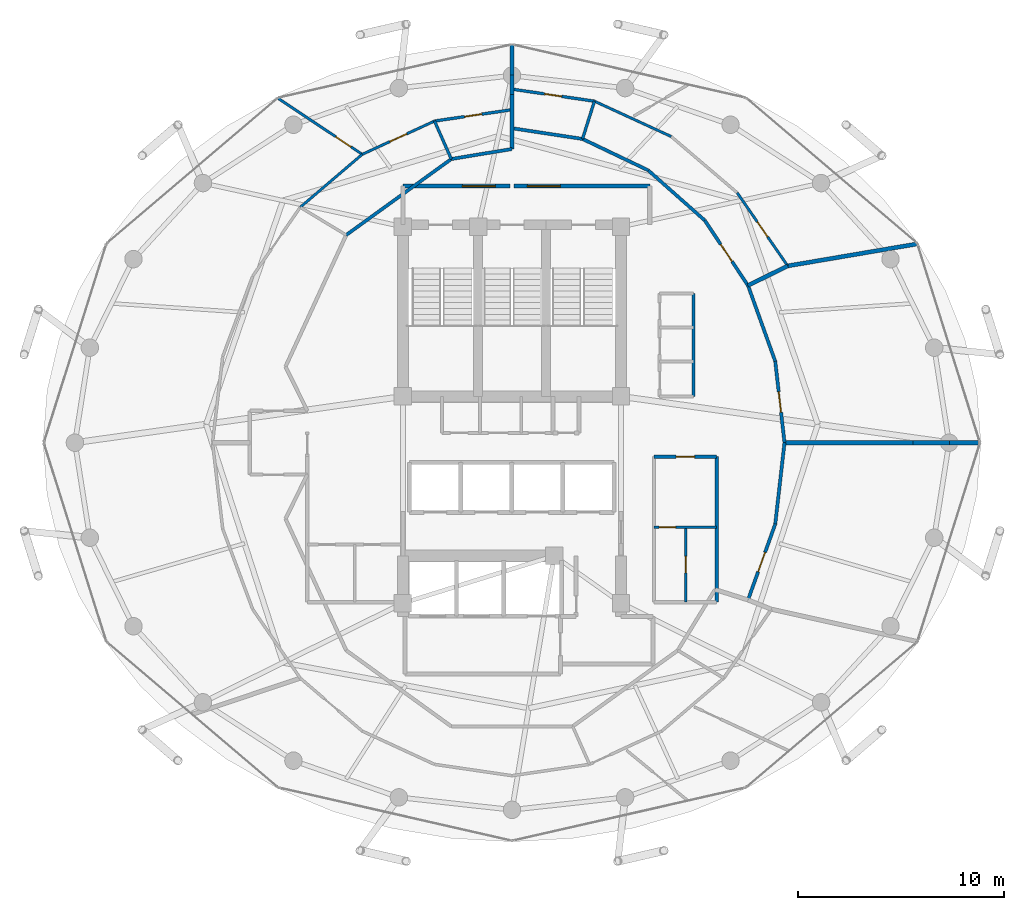
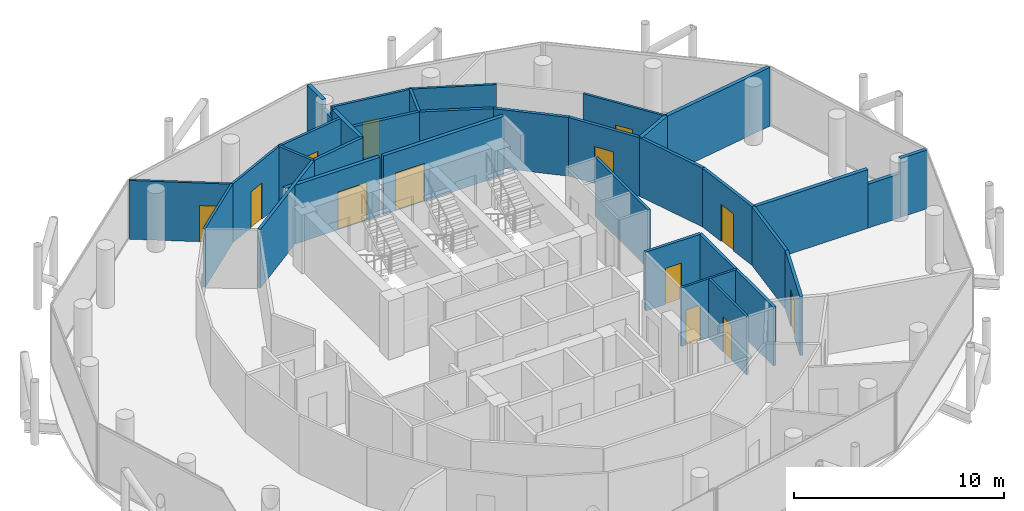
# One storey, part 25 of 27: 34 walls, 13 doors, 13 openings.
"""IFC4 building model written with IfcOpenShell, lengths in metres."""

from ifc_helpers import new_model, si_unit, direction, frame, frame_2d, origin, place, context, subcontext, project, spatial, rectangle, extrude, material, layer, layer_set, type_object, element, fill, save


model = new_model("IFC4")

# Units and contexts
model_context = context("Model", 3, precision=1e-05, world=origin(), true_north=direction((0.0, 1.0)))
body_context = subcontext(model_context, "Body", "Model", "MODEL_VIEW")
ifc_project = project(units=[si_unit("LENGTHUNIT", "METRE"), si_unit("AREAUNIT", "SQUARE_METRE"), si_unit("VOLUMEUNIT", "CUBIC_METRE"), si_unit("PLANEANGLEUNIT", "RADIAN"), si_unit("MASSUNIT", "GRAM", prefix="KILO")], contexts=[model_context])

# Site, building, storey
site_placement = place(None, origin())
site = spatial("IfcSite", under=ifc_project, at=site_placement, CompositionType="ELEMENT")
building_placement = place(site_placement, origin())
building = spatial("IfcBuilding", under=site, at=building_placement, Name="Nuhasar Tower", CompositionType="ELEMENT")
storey_placement = place(building_placement, frame((0.0, 0.0, 230.050048828125)))
storey = spatial("IfcBuildingStorey", under=building, at=storey_placement, Name="L56", CompositionType="ELEMENT", Elevation=230.050048828125)

# Wall
ifc_material_1 = material(Name="Gypsum Board", Category="gypsum")
ifc_layer_1 = layer(ifc_material_1, 0.159912109375)
ifc_layer_set_1 = layer_set([ifc_layer_1], Name="Gypsum Board")
wall_type_1 = type_object("IfcWallType", Name="WL-CORR-160", PredefinedType="PARTITIONING", material=ifc_layer_set_1)
wall_1_placement = place(storey_placement, frame((48.949951171875, 19.050048828125, 0.0), z_axis=(0.0, 0.0, 1.0), x_axis=(0.0, 1.0, 0.0)))
element("IfcWall", 1, at=wall_1_placement, inside=storey, type_object=wall_type_1, Name="L56 Interior Partition RECL-B2-E", PredefinedType="PARTITIONING", context=body_context, shape_type="SweptSolid", body=[
    extrude(rectangle(XDim=7.070068359375, YDim=0.159912109375, at=frame_2d((3.53515625, 0.0))), origin(), (0.0, 0.0, 1.0), 3.409912109375),
])

# Wall, opening, door
wall_2_placement = place(storey_placement, frame((48.949951171875, 26.1201171875, 0.0), z_axis=(0.0, 0.0, 1.0), x_axis=(-1.0, 0.0, 0.0)))
wall_2 = element("IfcWall", 2, at=wall_2_placement, inside=storey, type_object=wall_type_1, Name="L56 Interior Partition RECL-B2-N", PredefinedType="PARTITIONING", context=body_context, shape_type="SweptSolid", body=[
    extrude(rectangle(XDim=3.050048828125, YDim=0.159912109375, at=frame_2d((1.52490234375, 0.0))), origin(), (0.0, 0.0, 1.0), 3.409912109375),
])
opening_1_placement = place(wall_2_placement, frame((1.074951171875, 0.0, 0.0)))
opening_1 = element("IfcOpeningElement", 3, at=opening_1_placement, cuts=wall_2, Name="Opening DR-01", PredefinedType="OPENING", context=body_context, shape_type="SweptSolid", body=[
    extrude(rectangle(XDim=0.89990234375, YDim=2.10009765625, at=frame_2d((0.449951171875, 1.050048828125))), frame((0.0, 0.08984375, 0.0), z_axis=(0.0, -1.0, 0.0), x_axis=(1.0, 0.0, 0.0)), (0.0, 0.0, 1.0), 0.179931640625),
])
ifc_material_2 = material(Name="Timber Oak", Category="wood")
door_type_1 = type_object("IfcDoorType", Name="DR-ROOM-900", OperationType="NOTDEFINED", PredefinedType="DOOR", material=ifc_material_2)
door_1_placement = place(opening_1_placement, origin())
door_1 = element("IfcDoor", 4, at=door_1_placement, inside=storey, type_object=door_type_1, Name="L56 Telemetry Closet Door", OperationType="SINGLE_SWING_LEFT", OverallHeight=2.10009765625, OverallWidth=0.89990234375, PredefinedType="DOOR", context=body_context, shape_type="SweptSolid", body=[
    extrude(rectangle(XDim=0.89990234375, YDim=2.10009765625, at=frame_2d((0.449951171875, 1.050048828125))), frame((0.0, 0.02490234375, 0.0), z_axis=(0.0, -1.0, 0.0), x_axis=(1.0, 0.0, 0.0)), (0.0, 0.0, 1.0), 0.050048828125),
])
fill(opening_1, door_1)

wall_3_placement = place(storey_placement, frame((51.799072265625, 22.843017578125, 0.0), z_axis=(0.0, 0.0, 1.0), x_axis=(-0.337883151287, -0.941188066263, 0.0)))
wall_3 = element("IfcWall", 5, at=wall_3_placement, inside=storey, type_object=wall_type_1, Name="L56 Interior Partition CORR-44", PredefinedType="PARTITIONING", context=body_context, shape_type="SweptSolid", body=[
    extrude(rectangle(XDim=3.91845703125, YDim=0.159912109375, at=frame_2d((1.959228515625, 0.0))), origin(), (0.0, 0.0, 1.0), 3.409912109375),
])
opening_2_placement = place(wall_3_placement, frame((1.458984375, 0.0, 0.0)))
opening_2 = element("IfcOpeningElement", 6, at=opening_2_placement, cuts=wall_3, Name="Opening DU-02", PredefinedType="OPENING", context=body_context, shape_type="SweptSolid", body=[
    extrude(rectangle(XDim=1.0, YDim=2.14990234375, at=frame_2d((0.5, 1.074951171875))), frame((0.0, 0.08984375, 0.0), z_axis=(0.0, -1.0, 0.0), x_axis=(1.0, 0.0, 0.0)), (0.0, 0.0, 1.0), 0.179931640625),
])
door_type_2 = type_object("IfcDoorType", Name="DR-FLAT-FD60-1000", OperationType="NOTDEFINED", PredefinedType="DOOR", material=ifc_material_2)
door_2_placement = place(opening_2_placement, origin())
door_2 = element("IfcDoor", 7, at=door_2_placement, inside=storey, type_object=door_type_2, Name="L56 Residents Committee Boardroom Entrance Door", OperationType="SINGLE_SWING_RIGHT", OverallHeight=2.14990234375, OverallWidth=1.0, PredefinedType="DOOR", context=body_context, shape_type="SweptSolid", body=[
    extrude(rectangle(XDim=1.0, YDim=2.14990234375, at=frame_2d((0.5, 1.074951171875))), frame((0.0, 0.02490234375, 0.0), z_axis=(0.0, -1.0, 0.0), x_axis=(1.0, 0.0, 0.0)), (0.0, 0.0, 1.0), 0.050048828125),
])
fill(opening_2, door_2)

# Wall
wall_4_placement = place(storey_placement, frame((51.799072265625, 22.843017578125, 0.0), z_axis=(0.0, 0.0, 1.0), x_axis=(0.113223284391, 0.993569568713, 0.0)))
element("IfcWall", 8, at=wall_4_placement, inside=storey, type_object=wall_type_1, Name="L56 Interior Partition CORR-46", PredefinedType="PARTITIONING", context=body_context, shape_type="SweptSolid", body=[
    extrude(rectangle(XDim=3.982666015625, YDim=0.159912109375, at=frame_2d((1.9912109375, 0.0))), origin(), (0.0, 0.0, 1.0), 3.409912109375),
])

# Wall, opening, door
wall_5_placement = place(storey_placement, frame((51.799072265625, 30.757080078125, 0.0), z_axis=(0.0, 0.0, 1.0), x_axis=(0.113223284391, -0.993569568713, 0.0)))
wall_5 = element("IfcWall", 9, at=wall_5_placement, inside=storey, type_object=wall_type_1, Name="L56 Interior Partition CORR-00", PredefinedType="PARTITIONING", context=body_context, shape_type="SweptSolid", body=[
    extrude(rectangle(XDim=3.982666015625, YDim=0.159912109375, at=frame_2d((1.9912109375, 0.0))), origin(), (0.0, 0.0, 1.0), 3.409912109375),
])
opening_3_placement = place(wall_5_placement, frame((1.490966796875, 0.0, 0.0)))
opening_3 = element("IfcOpeningElement", 10, at=opening_3_placement, cuts=wall_5, Name="Opening DU-02", PredefinedType="OPENING", context=body_context, shape_type="SweptSolid", body=[
    extrude(rectangle(XDim=1.0, YDim=2.14990234375, at=frame_2d((0.5, 1.074951171875))), frame((0.0, 0.08984375, 0.0), z_axis=(0.0, -1.0, 0.0), x_axis=(1.0, 0.0, 0.0)), (0.0, 0.0, 1.0), 0.179931640625),
])
door_3_placement = place(opening_3_placement, origin())
door_3 = element("IfcDoor", 11, at=door_3_placement, inside=storey, type_object=door_type_2, Name="L56 Residents Private Seminar Room Entrance Door", OperationType="SINGLE_SWING_RIGHT", OverallHeight=2.14990234375, OverallWidth=1.0, PredefinedType="DOOR", context=body_context, shape_type="SweptSolid", body=[
    extrude(rectangle(XDim=1.0, YDim=2.14990234375, at=frame_2d((0.5, 1.074951171875))), frame((0.0, 0.02490234375, 0.0), z_axis=(0.0, -1.0, 0.0), x_axis=(1.0, 0.0, 0.0)), (0.0, 0.0, 1.0), 0.050048828125),
])
fill(opening_3, door_3)

# Wall
wall_6_placement = place(storey_placement, frame((51.799072265625, 30.757080078125, 0.0), z_axis=(0.0, 0.0, 1.0), x_axis=(-0.337883151287, 0.941188066263, 0.0)))
element("IfcWall", 12, at=wall_6_placement, inside=storey, type_object=wall_type_1, Name="L56 Interior Partition CORR-02", PredefinedType="PARTITIONING", context=body_context, shape_type="SweptSolid", body=[
    extrude(rectangle(XDim=3.91845703125, YDim=0.159912109375, at=frame_2d((1.959228515625, 0.0))), origin(), (0.0, 0.0, 1.0), 3.409912109375),
])

# Wall, opening, door
wall_7_placement = place(storey_placement, frame((48.368896484375, 37.612060546875, 0.0), z_axis=(0.0, 0.0, 1.0), x_axis=(0.553766624332, -0.832671919651, 0.0)))
wall_7 = element("IfcWall", 13, at=wall_7_placement, inside=storey, type_object=wall_type_1, Name="L56 Interior Partition CORR-04", PredefinedType="PARTITIONING", context=body_context, shape_type="SweptSolid", body=[
    extrude(rectangle(XDim=3.803466796875, YDim=0.159912109375, at=frame_2d((1.90185546875, 0.0))), origin(), (0.0, 0.0, 1.0), 3.409912109375),
])
opening_4_placement = place(wall_7_placement, frame((1.402099609375, 0.0, 0.0)))
opening_4 = element("IfcOpeningElement", 14, at=opening_4_placement, cuts=wall_7, Name="Opening DU-02", PredefinedType="OPENING", context=body_context, shape_type="SweptSolid", body=[
    extrude(rectangle(XDim=1.0, YDim=2.14990234375, at=frame_2d((0.5, 1.074951171875))), frame((0.0, 0.08984375, 0.0), z_axis=(0.0, -1.0, 0.0), x_axis=(1.0, 0.0, 0.0)), (0.0, 0.0, 1.0), 0.179931640625),
])
door_4_placement = place(opening_4_placement, origin())
door_4 = element("IfcDoor", 15, at=door_4_placement, inside=storey, type_object=door_type_2, Name="L56 East Two-Bed Apartment 01 Entrance Door", OperationType="SINGLE_SWING_RIGHT", OverallHeight=2.14990234375, OverallWidth=1.0, PredefinedType="DOOR", context=body_context, shape_type="SweptSolid", body=[
    extrude(rectangle(XDim=1.0, YDim=2.14990234375, at=frame_2d((0.5, 1.074951171875))), frame((0.0, 0.02490234375, 0.0), z_axis=(0.0, -1.0, 0.0), x_axis=(1.0, 0.0, 0.0)), (0.0, 0.0, 1.0), 0.050048828125),
])
fill(opening_4, door_4)

# Walls
wall_8_placement = place(storey_placement, frame((48.368896484375, 37.612060546875, 0.0), z_axis=(0.0, 0.0, 1.0), x_axis=(-0.748639187354, 0.662977652081, 0.0)))
element("IfcWall", 16, at=wall_8_placement, inside=storey, type_object=wall_type_1, Name="L56 Interior Partition CORR-06", PredefinedType="PARTITIONING", context=body_context, shape_type="SweptSolid", body=[
    extrude(rectangle(XDim=3.665283203125, YDim=0.159912109375, at=frame_2d((1.83251953125, 0.0))), origin(), (0.0, 0.0, 1.0), 3.409912109375),
])
wall_9_placement = place(storey_placement, frame((45.625, 40.0419921875, 0.0), z_axis=(0.0, 0.0, 1.0), x_axis=(-0.902292793428, 0.431123781445, 0.0)))
element("IfcWall", 17, at=wall_9_placement, inside=storey, type_object=wall_type_1, Name="L56 Interior Partition CORR-08", PredefinedType="PARTITIONING", context=body_context, shape_type="SweptSolid", body=[
    extrude(rectangle(XDim=3.542236328125, YDim=0.159912109375, at=frame_2d((1.77099609375, 0.0))), origin(), (0.0, 0.0, 1.0), 3.409912109375),
])
wall_10_placement = place(storey_placement, frame((42.428955078125, 41.569091796875, 0.0), z_axis=(0.0, 0.0, 1.0), x_axis=(-0.988653178361, 0.150216153978, 0.0)))
element("IfcWall", 18, at=wall_10_placement, inside=storey, type_object=wall_type_1, Name="L56 Interior Partition CORR-10", PredefinedType="PARTITIONING", context=body_context, shape_type="SweptSolid", body=[
    extrude(rectangle(XDim=3.46826171875, YDim=0.159912109375, at=frame_2d((1.734130859375, 0.0))), origin(), (0.0, 0.0, 1.0), 3.409912109375),
])
wall_11_placement = place(storey_placement, frame((39.0, 41.080078125, 0.0), z_axis=(0.0, 0.0, 1.0), x_axis=(-0.986650832406, -0.162850038111, 0.0)))
element("IfcWall", 19, at=wall_11_placement, inside=storey, type_object=wall_type_1, Name="L56 Interior Partition UWEST-CORE-N1-12", PredefinedType="PARTITIONING", context=body_context, shape_type="SweptSolid", body=[
    extrude(rectangle(XDim=2.990966796875, YDim=0.159912109375, at=frame_2d((1.49560546875, 0.0))), origin(), (0.0, 0.0, 1.0), 3.409912109375),
])
wall_12_placement = place(storey_placement, frame((36.049072265625, 40.593017578125, 0.0), z_axis=(0.0, 0.0, 1.0), x_axis=(-0.810271736342, -0.58605436035, 0.0)))
element("IfcWall", 20, at=wall_12_placement, inside=storey, type_object=wall_type_1, Name="L56 Interior Partition UWEST-CORE-N2-14", PredefinedType="PARTITIONING", context=body_context, shape_type="SweptSolid", body=[
    extrude(rectangle(XDim=6.306640625, YDim=0.159912109375, at=frame_2d((3.1533203125, 0.0))), origin(), (0.0, 0.0, 1.0), 3.409912109375),
])

# Wall, opening, door
ifc_material_3 = material(Name="Concrete C45/55", Category="concrete")
ifc_layer_2 = layer(ifc_material_3, 0.199951171875)
ifc_layer_set_2 = layer_set([ifc_layer_2], Name="Concrete C45/55")
wall_type_2 = type_object("IfcWallType", Name="WL-LOBBY-200", PredefinedType="SOLIDWALL", material=ifc_layer_set_2)
wall_13_placement = place(storey_placement, frame((38.89990234375, 39.280029296875, 0.0), z_axis=(0.0, 0.0, 1.0), x_axis=(-1.0, 0.0, 0.0)))
wall_13 = element("IfcWall", 21, at=wall_13_placement, inside=storey, type_object=wall_type_2, Name="L56 Interior Partition NSL-N1", PredefinedType="SOLIDWALL", context=body_context, shape_type="SweptSolid", body=[
    extrude(rectangle(XDim=5.199951171875, YDim=0.199951171875, at=frame_2d((2.60009765625, 0.0))), origin(), (0.0, 0.0, 1.0), 3.409912109375),
])
opening_5_placement = place(wall_13_placement, frame((0.7080078125, 0.0, 0.0)))
opening_5 = element("IfcOpeningElement", 22, at=opening_5_placement, cuts=wall_13, Name="Opening DC-01", PredefinedType="OPENING", context=body_context, shape_type="SweptSolid", body=[
    extrude(rectangle(XDim=1.60009765625, YDim=2.199951171875, at=frame_2d((0.800048828125, 1.10009765625))), frame((0.0, 0.10986328125, 0.0), z_axis=(0.0, -1.0, 0.0), x_axis=(1.0, 0.0, 0.0)), (0.0, 0.0, 1.0), 0.219970703125),
])
ifc_material_4 = material(Name="Steel S355", Category="steel")
door_type_3 = type_object("IfcDoorType", Name="DR-CORR-FD60-1600", OperationType="DOUBLE_DOOR_SINGLE_SWING", PredefinedType="DOOR", material=ifc_material_4)
door_5_placement = place(opening_5_placement, origin())
door_5 = element("IfcDoor", 23, at=door_5_placement, inside=storey, type_object=door_type_3, Name="L56 North Stair Lobby West Door", OperationType="DOUBLE_DOOR_SINGLE_SWING", OverallHeight=2.199951171875, OverallWidth=1.60009765625, PredefinedType="DOOR", context=body_context, shape_type="SweptSolid", body=[
    extrude(rectangle(XDim=1.60009765625, YDim=2.199951171875, at=frame_2d((0.800048828125, 1.10009765625))), frame((0.0, 0.02490234375, 0.0), z_axis=(0.0, -1.0, 0.0), x_axis=(1.0, 0.0, 0.0)), (0.0, 0.0, 1.0), 0.050048828125),
])
fill(opening_5, door_5)

wall_14_placement = place(storey_placement, frame((45.699951171875, 39.280029296875, 0.0), z_axis=(0.0, 0.0, 1.0), x_axis=(-1.0, 0.0, 0.0)))
wall_14 = element("IfcWall", 24, at=wall_14_placement, inside=storey, type_object=wall_type_2, Name="L56 Interior Partition NSL-N2", PredefinedType="SOLIDWALL", context=body_context, shape_type="SweptSolid", body=[
    extrude(rectangle(XDim=6.599853515625, YDim=0.199951171875, at=frame_2d((3.2998046875, 0.0))), origin(), (0.0, 0.0, 1.0), 3.409912109375),
])
opening_6_placement = place(wall_14_placement, frame((4.35009765625, 0.0, 0.0)))
opening_6 = element("IfcOpeningElement", 25, at=opening_6_placement, cuts=wall_14, Name="Opening DC-01", PredefinedType="OPENING", context=body_context, shape_type="SweptSolid", body=[
    extrude(rectangle(XDim=1.60009765625, YDim=2.199951171875, at=frame_2d((0.800048828125, 1.10009765625))), frame((0.0, 0.10986328125, 0.0), z_axis=(0.0, -1.0, 0.0), x_axis=(1.0, 0.0, 0.0)), (0.0, 0.0, 1.0), 0.219970703125),
])
door_6_placement = place(opening_6_placement, origin())
door_6 = element("IfcDoor", 26, at=door_6_placement, inside=storey, type_object=door_type_3, Name="L56 North Stair Lobby East Door", OperationType="DOUBLE_DOOR_SINGLE_SWING", OverallHeight=2.199951171875, OverallWidth=1.60009765625, PredefinedType="DOOR", context=body_context, shape_type="SweptSolid", body=[
    extrude(rectangle(XDim=1.60009765625, YDim=2.199951171875, at=frame_2d((0.800048828125, 1.10009765625))), frame((0.0, 0.02490234375, 0.0), z_axis=(0.0, -1.0, 0.0), x_axis=(1.0, 0.0, 0.0)), (0.0, 0.0, 1.0), 0.050048828125),
])
fill(opening_6, door_6)

ifc_layer_3 = layer(ifc_material_1, 0.125)
ifc_layer_set_3 = layer_set([ifc_layer_3], Name="Gypsum Board")
wall_type_3 = type_object("IfcWallType", Name="WL-PART-125", PredefinedType="PARTITIONING", material=ifc_layer_set_3)
wall_15_placement = place(storey_placement, frame((47.449951171875, 22.699951171875, 0.0), z_axis=(0.0, 0.0, 1.0), x_axis=(0.0, -1.0, 0.0)))
wall_15 = element("IfcWall", 27, at=wall_15_placement, inside=storey, type_object=wall_type_3, Name="L56 Interior Partition RECL-B2-V", PredefinedType="PARTITIONING", context=body_context, shape_type="SweptSolid", body=[
    extrude(rectangle(XDim=3.64990234375, YDim=0.125, at=frame_2d((1.824951171875, 0.0))), origin(), (0.0, 0.0, 1.0), 3.409912109375),
])
opening_7_placement = place(wall_15_placement, frame((1.425048828125, 0.0, 0.0)))
opening_7 = element("IfcOpeningElement", 28, at=opening_7_placement, cuts=wall_15, Name="Opening DM-01", PredefinedType="OPENING", context=body_context, shape_type="SweptSolid", body=[
    extrude(rectangle(XDim=0.800048828125, YDim=2.050048828125, at=frame_2d((0.39990234375, 1.02490234375))), frame((0.0, 0.072509765625, 0.0), z_axis=(0.0, -1.0, 0.0), x_axis=(1.0, 0.0, 0.0)), (0.0, 0.0, 1.0), 0.14501953125),
])
door_type_4 = type_object("IfcDoorType", Name="DR-RISER-FD60-800", OperationType="NOTDEFINED", PredefinedType="DOOR", material=ifc_material_4)
door_7_placement = place(opening_7_placement, origin())
door_7 = element("IfcDoor", 29, at=door_7_placement, inside=storey, type_object=door_type_4, Name="L56 Archive Closet Door", OperationType="SINGLE_SWING_LEFT", OverallHeight=2.050048828125, OverallWidth=0.800048828125, PredefinedType="DOOR", context=body_context, shape_type="SweptSolid", body=[
    extrude(rectangle(XDim=0.800048828125, YDim=2.050048828125, at=frame_2d((0.39990234375, 1.02490234375))), frame((0.0, 0.02490234375, 0.0), z_axis=(0.0, -1.0, 0.0), x_axis=(1.0, 0.0, 0.0)), (0.0, 0.0, 1.0), 0.050048828125),
])
fill(opening_7, door_7)

wall_16_placement = place(storey_placement, frame((48.949951171875, 22.699951171875, 0.0), z_axis=(0.0, 0.0, 1.0), x_axis=(-1.0, 0.0, 0.0)))
wall_16 = element("IfcWall", 30, at=wall_16_placement, inside=storey, type_object=wall_type_3, Name="L56 Interior Partition RECL-B2-M", PredefinedType="PARTITIONING", context=body_context, shape_type="SweptSolid", body=[
    extrude(rectangle(XDim=3.050048828125, YDim=0.125, at=frame_2d((1.52490234375, 0.0))), origin(), (0.0, 0.0, 1.0), 3.409912109375),
])
opening_8_placement = place(wall_16_placement, frame((2.0, 0.0, 0.0)))
opening_8 = element("IfcOpeningElement", 31, at=opening_8_placement, cuts=wall_16, Name="Opening DM-01", PredefinedType="OPENING", context=body_context, shape_type="SweptSolid", body=[
    extrude(rectangle(XDim=0.800048828125, YDim=2.050048828125, at=frame_2d((0.39990234375, 1.02490234375))), frame((0.0, 0.072509765625, 0.0), z_axis=(0.0, -1.0, 0.0), x_axis=(1.0, 0.0, 0.0)), (0.0, 0.0, 1.0), 0.14501953125),
])
door_8_placement = place(opening_8_placement, origin())
door_8 = element("IfcDoor", 32, at=door_8_placement, inside=storey, type_object=door_type_4, Name="L56 Trunk Store Door", OperationType="SINGLE_SWING_RIGHT", OverallHeight=2.050048828125, OverallWidth=0.800048828125, PredefinedType="DOOR", context=body_context, shape_type="SweptSolid", body=[
    extrude(rectangle(XDim=0.800048828125, YDim=2.050048828125, at=frame_2d((0.39990234375, 1.02490234375))), frame((0.0, 0.02490234375, 0.0), z_axis=(0.0, -1.0, 0.0), x_axis=(1.0, 0.0, 0.0)), (0.0, 0.0, 1.0), 0.050048828125),
])
fill(opening_8, door_8)

wall_17_placement = place(storey_placement, frame((49.946044921875, 38.955078125, 0.0), z_axis=(0.0, 0.0, 1.0), x_axis=(0.568476307332, -0.822699634133, 0.0)))
wall_17 = element("IfcWall", 33, at=wall_17_placement, inside=storey, type_object=wall_type_3, Name="L56 Interior Partition UMID-03-A-04", PredefinedType="PARTITIONING", context=body_context, shape_type="SweptSolid", body=[
    extrude(rectangle(XDim=4.327392578125, YDim=0.125, at=frame_2d((2.16357421875, 0.0))), origin(), (0.0, 0.0, 1.0), 3.409912109375),
])
opening_9_placement = place(wall_17_placement, frame((1.714111328125, 0.0, 0.0)))
opening_9 = element("IfcOpeningElement", 34, at=opening_9_placement, cuts=wall_17, Name="Opening DR-01", PredefinedType="OPENING", context=body_context, shape_type="SweptSolid", body=[
    extrude(rectangle(XDim=0.89990234375, YDim=2.10009765625, at=frame_2d((0.449951171875, 1.050048828125))), frame((0.0, 0.072509765625, 0.0), z_axis=(0.0, -1.0, 0.0), x_axis=(1.0, 0.0, 0.0)), (0.0, 0.0, 1.0), 0.14501953125),
])
door_9_placement = place(opening_9_placement, origin())
door_9 = element("IfcDoor", 35, at=door_9_placement, inside=storey, type_object=door_type_1, Name="L56 U03 Living Door", OperationType="SINGLE_SWING_LEFT", OverallHeight=2.10009765625, OverallWidth=0.89990234375, PredefinedType="DOOR", context=body_context, shape_type="SweptSolid", body=[
    extrude(rectangle(XDim=0.89990234375, YDim=2.10009765625, at=frame_2d((0.449951171875, 1.050048828125))), frame((0.0, 0.02490234375, 0.0), z_axis=(0.0, -1.0, 0.0), x_axis=(1.0, 0.0, 0.0)), (0.0, 0.0, 1.0), 0.050048828125),
])
fill(opening_9, door_9)

# Wall
wall_18_placement = place(storey_placement, frame((46.739990234375, 41.68701171875, 0.0), z_axis=(0.0, 0.0, 1.0), x_axis=(-0.908499475982, 0.417885991797, 0.0)))
element("IfcWall", 36, at=wall_18_placement, inside=storey, type_object=wall_type_3, Name="L56 Interior Partition UMID-03-A-08", PredefinedType="PARTITIONING", context=body_context, shape_type="SweptSolid", body=[
    extrude(rectangle(XDim=4.10888671875, YDim=0.125, at=frame_2d((2.054443359375, 0.0))), origin(), (0.0, 0.0, 1.0), 3.409912109375),
])

# Wall, opening, door
wall_19_placement = place(storey_placement, frame((31.719970703125, 40.821044921875, 0.0), z_axis=(0.0, 0.0, 1.0), x_axis=(0.908348953741, 0.418213077555, 0.0)))
wall_19 = element("IfcWall", 37, at=wall_19_placement, inside=storey, type_object=wall_type_3, Name="L56 Interior Partition USM-1-K-14", PredefinedType="PARTITIONING", context=body_context, shape_type="SweptSolid", body=[
    extrude(rectangle(XDim=3.8662109375, YDim=0.125, at=frame_2d((1.93310546875, 0.0))), origin(), (0.0, 0.0, 1.0), 3.409912109375),
])
opening_10_placement = place(wall_19_placement, frame((1.48291015625, 0.0, 0.0)))
opening_10 = element("IfcOpeningElement", 38, at=opening_10_placement, cuts=wall_19, Name="Opening DR-01", PredefinedType="OPENING", context=body_context, shape_type="SweptSolid", body=[
    extrude(rectangle(XDim=0.89990234375, YDim=2.10009765625, at=frame_2d((0.449951171875, 1.050048828125))), frame((0.0, 0.072509765625, 0.0), z_axis=(0.0, -1.0, 0.0), x_axis=(1.0, 0.0, 0.0)), (0.0, 0.0, 1.0), 0.14501953125),
])
door_10_placement = place(opening_10_placement, origin())
door_10 = element("IfcDoor", 39, at=door_10_placement, inside=storey, type_object=door_type_1, Name="L56 North-West Sky Home Kitchen Door", OperationType="SINGLE_SWING_LEFT", OverallHeight=2.10009765625, OverallWidth=0.89990234375, PredefinedType="DOOR", context=body_context, shape_type="SweptSolid", body=[
    extrude(rectangle(XDim=0.89990234375, YDim=2.10009765625, at=frame_2d((0.449951171875, 1.050048828125))), frame((0.0, 0.02490234375, 0.0), z_axis=(0.0, -1.0, 0.0), x_axis=(1.0, 0.0, 0.0)), (0.0, 0.0, 1.0), 0.050048828125),
])
fill(opening_10, door_10)

# Wall
wall_20_placement = place(storey_placement, frame((31.719970703125, 40.821044921875, 0.0), z_axis=(0.0, 0.0, 1.0), x_axis=(-0.760650552049, -0.64916156515, 0.0)))
element("IfcWall", 40, at=wall_20_placement, inside=storey, type_object=wall_type_3, Name="L56 Interior Partition USM-1-K-16", PredefinedType="PARTITIONING", context=body_context, shape_type="SweptSolid", body=[
    extrude(rectangle(XDim=3.963623046875, YDim=0.125, at=frame_2d((1.98193359375, 0.0))), origin(), (0.0, 0.0, 1.0), 3.409912109375),
])

# Wall, opening, door
wall_21_placement = place(storey_placement, frame((31.719970703125, 40.821044921875, 0.0), z_axis=(0.0, 0.0, 1.0), x_axis=(-0.832662714406, 0.553780465562, 0.0)))
wall_21 = element("IfcWall", 41, at=wall_21_placement, inside=storey, type_object=wall_type_3, Name="L56 Interior Partition USO-1-BD", PredefinedType="PARTITIONING", context=body_context, shape_type="SweptSolid", body=[
    extrude(rectangle(XDim=4.90234375, YDim=0.125, at=frame_2d((2.451171875, 0.0))), origin(), (0.0, 0.0, 1.0), 3.409912109375),
])
opening_11_placement = place(wall_21_placement, frame((0.64990234375, 0.0, 0.0)))
opening_11 = element("IfcOpeningElement", 42, at=opening_11_placement, cuts=wall_21, Name="Opening DR-01", PredefinedType="OPENING", context=body_context, shape_type="SweptSolid", body=[
    extrude(rectangle(XDim=0.89990234375, YDim=2.10009765625, at=frame_2d((0.449951171875, 1.050048828125))), frame((0.0, 0.072509765625, 0.0), z_axis=(0.0, -1.0, 0.0), x_axis=(1.0, 0.0, 0.0)), (0.0, 0.0, 1.0), 0.14501953125),
])
door_11_placement = place(opening_11_placement, origin())
door_11 = element("IfcDoor", 43, at=door_11_placement, inside=storey, type_object=door_type_1, Name="L56 North-West Sky Home Master Bedroom Door", OperationType="SINGLE_SWING_LEFT", OverallHeight=2.10009765625, OverallWidth=0.89990234375, PredefinedType="DOOR", context=body_context, shape_type="SweptSolid", body=[
    extrude(rectangle(XDim=0.89990234375, YDim=2.10009765625, at=frame_2d((0.449951171875, 1.050048828125))), frame((0.0, 0.02490234375, 0.0), z_axis=(0.0, -1.0, 0.0), x_axis=(1.0, 0.0, 0.0)), (0.0, 0.0, 1.0), 0.050048828125),
])
fill(opening_11, door_11)

# Walls
ifc_material_5 = material(Name="Concrete C40/50 precast", Category="concrete")
ifc_layer_4 = layer(ifc_material_5, 0.199951171875)
ifc_layer_set_4 = layer_set([ifc_layer_4], Name="Concrete C40/50 precast")
wall_type_4 = type_object("IfcWallType", Name="WL-UNIT-200", PredefinedType="PARTITIONING", material=ifc_layer_set_4)
wall_22_placement = place(storey_placement, frame((39.0, 41.080078125, 0.0), z_axis=(0.0, 0.0, 1.0), x_axis=(0.0, 1.0, 0.0)))
element("IfcWall", 44, at=wall_22_placement, inside=storey, type_object=wall_type_4, Name="L56 Interior Partition URAD-12-NW", PredefinedType="PARTITIONING", context=body_context, shape_type="SweptSolid", body=[
    extrude(rectangle(XDim=2.64697265625, YDim=0.199951171875, at=frame_2d((1.323486328125, 0.0))), origin(), (0.0, 0.0, 1.0), 3.409912109375),
])
wall_23_placement = place(storey_placement, frame((39.0, 43.72705078125, 0.0), z_axis=(0.0, 0.0, 1.0), x_axis=(0.0, 1.0, 0.0)))
element("IfcWall", 45, at=wall_23_placement, inside=storey, type_object=wall_type_4, Name="L56 Interior Partition URAD-12-NW", PredefinedType="PARTITIONING", context=body_context, shape_type="SweptSolid", body=[
    extrude(rectangle(XDim=0.945068359375, YDim=0.199951171875, at=frame_2d((0.47265625, 0.0))), origin(), (0.0, 0.0, 1.0), 2.8798828125),
])
wall_24_placement = place(storey_placement, frame((39.0, 44.672119140625, 0.0), z_axis=(0.0, 0.0, 1.0), x_axis=(0.0, 1.0, 0.0)))
element("IfcWall", 46, at=wall_24_placement, inside=storey, type_object=wall_type_4, Name="L56 Interior Partition URAD-12-NW", PredefinedType="PARTITIONING", context=body_context, shape_type="SweptSolid", body=[
    extrude(rectangle(XDim=1.452880859375, YDim=0.199951171875, at=frame_2d((0.7265625, 0.0))), origin(), (0.0, 0.0, 1.0), 3.409912109375),
])
wall_25_placement = place(storey_placement, frame((52.25, 26.800048828125, 0.0), z_axis=(0.0, 0.0, 1.0), x_axis=(1.0, 0.0, 0.0)))
element("IfcWall", 47, at=wall_25_placement, inside=storey, type_object=wall_type_4, Name="L56 Interior Partition URAD-00", PredefinedType="PARTITIONING", context=body_context, shape_type="SweptSolid", body=[
    extrude(rectangle(XDim=6.24609375, YDim=0.199951171875, at=frame_2d((3.123046875, 0.0))), origin(), (0.0, 0.0, 1.0), 3.409912109375),
])
wall_26_placement = place(storey_placement, frame((58.49609375, 26.800048828125, 0.0), z_axis=(0.0, 0.0, 1.0), x_axis=(1.0, 0.0, 0.0)))
element("IfcWall", 48, at=wall_26_placement, inside=storey, type_object=wall_type_4, Name="L56 Interior Partition URAD-00", PredefinedType="PARTITIONING", context=body_context, shape_type="SweptSolid", body=[
    extrude(rectangle(XDim=1.767822265625, YDim=0.199951171875, at=frame_2d((0.8837890625, 0.0))), origin(), (0.0, 0.0, 1.0), 2.550048828125),
])
wall_27_placement = place(storey_placement, frame((60.263916015625, 26.800048828125, 0.0), z_axis=(0.0, 0.0, 1.0), x_axis=(1.0, 0.0, 0.0)))
element("IfcWall", 49, at=wall_27_placement, inside=storey, type_object=wall_type_4, Name="L56 Interior Partition URAD-00", PredefinedType="PARTITIONING", context=body_context, shape_type="SweptSolid", body=[
    extrude(rectangle(XDim=1.461181640625, YDim=0.199951171875, at=frame_2d((0.73046875, 0.0))), origin(), (0.0, 0.0, 1.0), 3.409912109375),
])
wall_28_placement = place(storey_placement, frame((50.47509765625, 34.445068359375, 0.0), z_axis=(0.0, 0.0, 1.0), x_axis=(0.897290298134, 0.441440959671, 0.0)))
element("IfcWall", 50, at=wall_28_placement, inside=storey, type_object=wall_type_4, Name="L56 Interior Partition URAD-04-S1", PredefinedType="PARTITIONING", context=body_context, shape_type="SweptSolid", body=[
    extrude(rectangle(XDim=2.15185546875, YDim=0.199951171875, at=frame_2d((1.075927734375, 0.0))), origin(), (0.0, 0.0, 1.0), 3.409912109375),
])
wall_29_placement = place(storey_placement, frame((52.406005859375, 35.39501953125, 0.0), z_axis=(0.0, 0.0, 1.0), x_axis=(0.985847351821, 0.167645455968, 0.0)))
element("IfcWall", 51, at=wall_29_placement, inside=storey, type_object=wall_type_4, Name="L56 Interior Partition URAD-04-S2", PredefinedType="PARTITIONING", context=body_context, shape_type="SweptSolid", body=[
    extrude(rectangle(XDim=6.364013671875, YDim=0.199951171875, at=frame_2d((3.18212890625, 0.0))), origin(), (0.0, 0.0, 1.0), 3.409912109375),
])
ifc_layer_5 = layer(ifc_material_5, 0.139892578125)
ifc_layer_set_5 = layer_set([ifc_layer_5], Name="Concrete C40/50 precast")
wall_type_5 = type_object("IfcWallType", Name="WL-WET-140", PredefinedType="PARTITIONING", material=ifc_layer_set_5)
wall_30_placement = place(storey_placement, frame((47.820068359375, 29.050048828125, 0.0), z_axis=(0.0, 0.0, 1.0), x_axis=(0.0, 1.0, 0.0)))
element("IfcWall", 52, at=wall_30_placement, inside=storey, type_object=wall_type_5, Name="L56 Interior Partition K1-NE-E", PredefinedType="PARTITIONING", context=body_context, shape_type="SweptSolid", body=[
    extrude(rectangle(XDim=5.0, YDim=0.139892578125, at=frame_2d((2.5, 0.0))), origin(), (0.0, 0.0, 1.0), 3.409912109375),
])

# Wall, opening, door
wall_31_placement = place(storey_placement, frame((39.0, 43.989990234375, 0.0), z_axis=(0.0, 0.0, 1.0), x_axis=(0.989477489879, -0.144686893055, 0.0)))
wall_31 = element("IfcWall", 53, at=wall_31_placement, inside=storey, type_object=wall_type_5, Name="L56 Interior Partition UMID-03-B-10", PredefinedType="PARTITIONING", context=body_context, shape_type="SweptSolid", body=[
    extrude(rectangle(XDim=4.0498046875, YDim=0.139892578125, at=frame_2d((2.02490234375, 0.0))), origin(), (0.0, 0.0, 1.0), 3.409912109375),
])
opening_12_placement = place(wall_31_placement, frame((1.60009765625, 0.0, 0.0)))
opening_12 = element("IfcOpeningElement", 54, at=opening_12_placement, cuts=wall_31, Name="Opening DB-01", PredefinedType="OPENING", context=body_context, shape_type="SweptSolid", body=[
    extrude(rectangle(XDim=0.85009765625, YDim=2.10009765625, at=frame_2d((0.425048828125, 1.050048828125))), frame((0.0, 0.080078125, 0.0), z_axis=(0.0, -1.0, 0.0), x_axis=(1.0, 0.0, 0.0)), (0.0, 0.0, 1.0), 0.159912109375),
])
door_type_5 = type_object("IfcDoorType", Name="DR-BATH-850", OperationType="NOTDEFINED", PredefinedType="DOOR", material=ifc_material_2)
door_12_placement = place(opening_12_placement, origin())
door_12 = element("IfcDoor", 55, at=door_12_placement, inside=storey, type_object=door_type_5, Name="L56 U03 Bathroom Door", OperationType="SINGLE_SWING_RIGHT", OverallHeight=2.10009765625, OverallWidth=0.85009765625, PredefinedType="DOOR", context=body_context, shape_type="SweptSolid", body=[
    extrude(rectangle(XDim=0.85009765625, YDim=2.10009765625, at=frame_2d((0.425048828125, 1.050048828125))), frame((0.0, 0.02490234375, 0.0), z_axis=(0.0, -1.0, 0.0), x_axis=(1.0, 0.0, 0.0)), (0.0, 0.0, 1.0), 0.050048828125),
])
fill(opening_12, door_12)

# Walls
wall_32_placement = place(storey_placement, frame((42.428955078125, 41.569091796875, 0.0), z_axis=(0.0, 0.0, 1.0), x_axis=(0.300499677701, 0.953781916216, 0.0)))
element("IfcWall", 56, at=wall_32_placement, inside=storey, type_object=wall_type_5, Name="L56 Interior Partition UIN-03-K", PredefinedType="PARTITIONING", context=body_context, shape_type="SweptSolid", body=[
    extrude(rectangle(XDim=1.923828125, YDim=0.139892578125, at=frame_2d((0.9619140625, 0.0))), origin(), (0.0, 0.0, 1.0), 3.409912109375),
])
wall_33_placement = place(storey_placement, frame((36.049072265625, 40.593017578125, 0.0), z_axis=(0.0, 0.0, 1.0), x_axis=(-0.404959394094, 0.914334670203, 0.0)))
element("IfcWall", 57, at=wall_33_placement, inside=storey, type_object=wall_type_5, Name="L56 Interior Partition USI-1-BK", PredefinedType="PARTITIONING", context=body_context, shape_type="SweptSolid", body=[
    extrude(rectangle(XDim=2.017822265625, YDim=0.139892578125, at=frame_2d((1.0087890625, 0.0))), origin(), (0.0, 0.0, 1.0), 3.409912109375),
])

# Wall, opening, door
wall_34_placement = place(storey_placement, frame((35.23193359375, 42.43798828125, 0.0), z_axis=(0.0, 0.0, 1.0), x_axis=(0.98943932281, 0.144947668062, 0.0)))
wall_34 = element("IfcWall", 58, at=wall_34_placement, inside=storey, type_object=wall_type_5, Name="L56 Interior Partition USM-1-B-12", PredefinedType="PARTITIONING", context=body_context, shape_type="SweptSolid", body=[
    extrude(rectangle(XDim=3.808349609375, YDim=0.139892578125, at=frame_2d((1.904296875, 0.0))), origin(), (0.0, 0.0, 1.0), 3.409912109375),
])
opening_13_placement = place(wall_34_placement, frame((1.47900390625, 0.0, 0.0)))
opening_13 = element("IfcOpeningElement", 59, at=opening_13_placement, cuts=wall_34, Name="Opening DB-01", PredefinedType="OPENING", context=body_context, shape_type="SweptSolid", body=[
    extrude(rectangle(XDim=0.85009765625, YDim=2.10009765625, at=frame_2d((0.425048828125, 1.050048828125))), frame((0.0, 0.080078125, 0.0), z_axis=(0.0, -1.0, 0.0), x_axis=(1.0, 0.0, 0.0)), (0.0, 0.0, 1.0), 0.159912109375),
])
door_13_placement = place(opening_13_placement, origin())
door_13 = element("IfcDoor", 60, at=door_13_placement, inside=storey, type_object=door_type_5, Name="L56 North-West Sky Home En-Suite Door", OperationType="SINGLE_SWING_RIGHT", OverallHeight=2.10009765625, OverallWidth=0.85009765625, PredefinedType="DOOR", context=body_context, shape_type="SweptSolid", body=[
    extrude(rectangle(XDim=0.85009765625, YDim=2.10009765625, at=frame_2d((0.425048828125, 1.050048828125))), frame((0.0, 0.02490234375, 0.0), z_axis=(0.0, -1.0, 0.0), x_axis=(1.0, 0.0, 0.0)), (0.0, 0.0, 1.0), 0.050048828125),
])
fill(opening_13, door_13)

save(model, "model.ifc")
